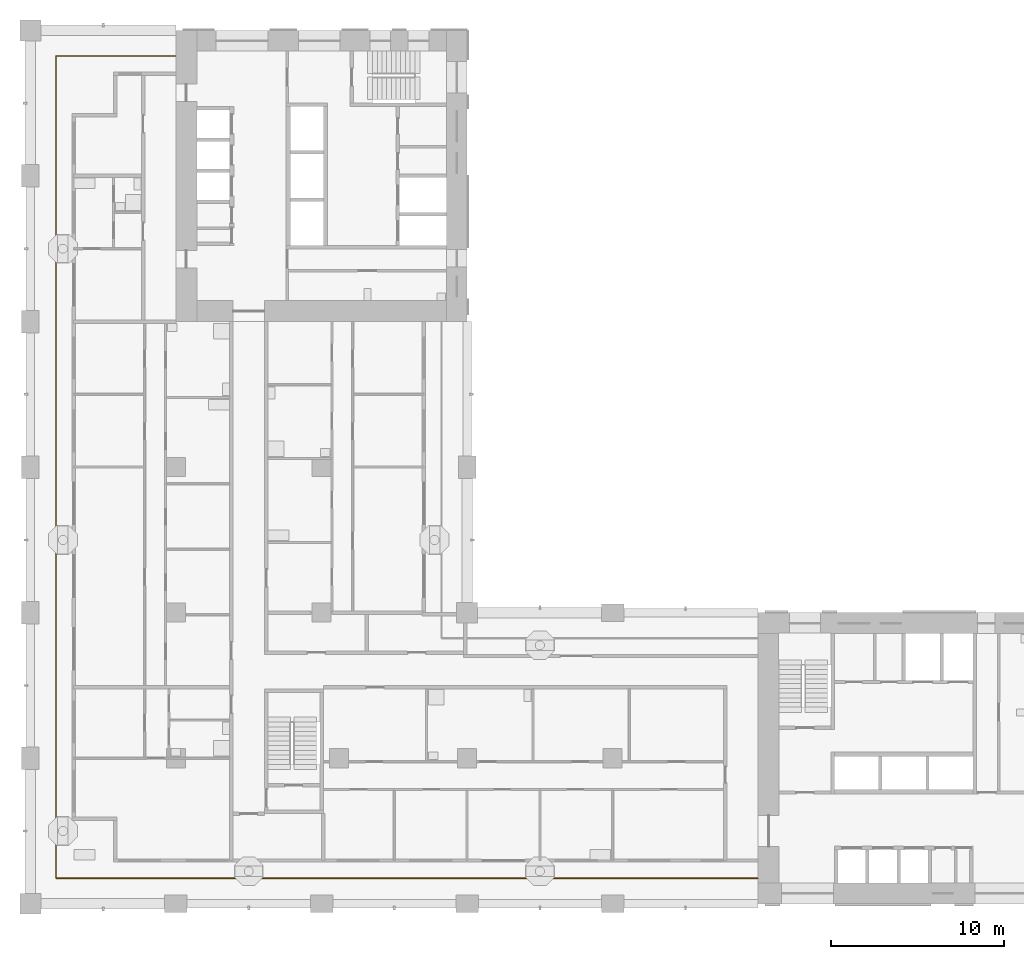
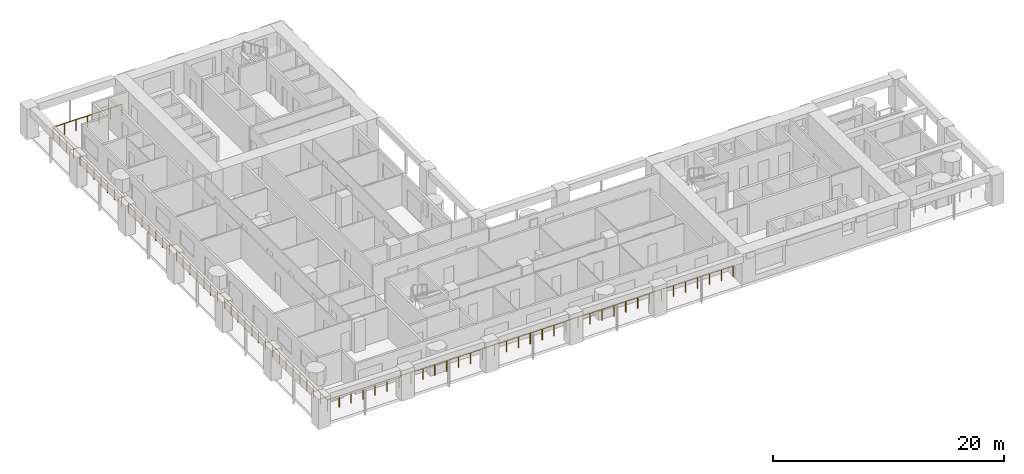
# One storey, part 10 of 18: 1 railing.
"""IFC4 building model written with IfcOpenShell, lengths in metres."""

from ifc_helpers import new_model, si_unit, direction, frame, origin, origin_2d, place, context, subcontext, project, spatial, circle, extrude, material, type_object, element, save


model = new_model("IFC4")

# Units and contexts
model_context = context("Model", 3, precision=1e-05, world=origin(), true_north=direction((0.0, 1.0)))
body_context = subcontext(model_context, "Body", "Model", "MODEL_VIEW")
ifc_project = project(units=[si_unit("LENGTHUNIT", "METRE"), si_unit("AREAUNIT", "SQUARE_METRE"), si_unit("VOLUMEUNIT", "CUBIC_METRE"), si_unit("PLANEANGLEUNIT", "RADIAN"), si_unit("MASSUNIT", "GRAM", prefix="KILO")], contexts=[model_context])

# Site, building, storey
site_placement = place(None, origin())
site = spatial("IfcSite", under=ifc_project, at=site_placement, CompositionType="ELEMENT")
building_placement = place(site_placement, origin())
building = spatial("IfcBuilding", under=site, at=building_placement, Name="Vermilion Gate Residences", CompositionType="ELEMENT")
storey_placement = place(building_placement, frame((0.0, 0.0, 105.699951171875)))
storey = spatial("IfcBuildingStorey", under=building, at=storey_placement, Name="L26", CompositionType="ELEMENT", Elevation=105.699951171875)

# Railing
ifc_material = material(Name="Stainless steel and toughened glass", Category="steel")
railing_type = type_object("IfcRailingType", Name="LOGGIA GUARD STEEL AND GLASS 1200", PredefinedType="GUARDRAIL", material=ifc_material)
railing_placement = place(storey_placement, frame((8.3779296875, 57.324951171875, 0.0)))
element("IfcRailing", 1, at=railing_placement, inside=storey, type_object=railing_type, Name="Loggia guard", PredefinedType="GUARDRAIL", context=body_context, shape_type="SweptSolid", body=[
    extrude(circle(Radius=0.030029296875, at=origin_2d()), frame((0.0, 0.0, 1.169921875), z_axis=(-1.0, 0.0, 0.0), x_axis=(0.0, -1.0, 0.0)), (0.0, 0.0, 1.0), 6.90283203125),
    extrude(circle(Radius=0.030029296875, at=origin_2d()), frame((-6.90283203125, 0.0, 1.169921875), z_axis=(0.0, -1.0, 0.0), x_axis=(1.0, 0.0, 0.0)), (0.0, 0.0, 1.0), 47.449951171875),
    extrude(circle(Radius=0.030029296875, at=origin_2d()), frame((-6.90283203125, -47.449951171875, 1.169921875), z_axis=(1.0, 0.0, 0.0), x_axis=(0.0, 1.0, 0.0)), (0.0, 0.0, 1.0), 40.5029296875),
    extrude(circle(Radius=0.02490234375, at=origin_2d()), origin(), (0.0, 0.0, 1.0), 1.139892578125),
    extrude(circle(Radius=0.02490234375, at=origin_2d()), frame((-1.150390625, 0.0, 0.0)), (0.0, 0.0, 1.0), 1.139892578125),
    extrude(circle(Radius=0.02490234375, at=origin_2d()), frame((-2.301025390625, 0.0, 0.0)), (0.0, 0.0, 1.0), 1.139892578125),
    extrude(circle(Radius=0.02490234375, at=origin_2d()), frame((-3.451416015625, 0.0, 0.0)), (0.0, 0.0, 1.0), 1.139892578125),
    extrude(circle(Radius=0.02490234375, at=origin_2d()), frame((-4.601806640625, 0.0, 0.0)), (0.0, 0.0, 1.0), 1.139892578125),
    extrude(circle(Radius=0.02490234375, at=origin_2d()), frame((-5.75244140625, 0.0, 0.0)), (0.0, 0.0, 1.0), 1.139892578125),
    extrude(circle(Radius=0.02490234375, at=origin_2d()), frame((-6.90283203125, 0.0, 0.0)), (0.0, 0.0, 1.0), 1.139892578125),
    extrude(circle(Radius=0.02490234375, at=origin_2d()), frame((-6.90283203125, -1.186279296875, 0.0)), (0.0, 0.0, 1.0), 1.139892578125),
    extrude(circle(Radius=0.02490234375, at=origin_2d()), frame((-6.90283203125, -2.37255859375, 0.0)), (0.0, 0.0, 1.0), 1.139892578125),
    extrude(circle(Radius=0.02490234375, at=origin_2d()), frame((-6.90283203125, -3.558837890625, 0.0)), (0.0, 0.0, 1.0), 1.139892578125),
    extrude(circle(Radius=0.02490234375, at=origin_2d()), frame((-6.90283203125, -4.7451171875, 0.0)), (0.0, 0.0, 1.0), 1.139892578125),
    extrude(circle(Radius=0.02490234375, at=origin_2d()), frame((-6.90283203125, -5.93115234375, 0.0)), (0.0, 0.0, 1.0), 1.139892578125),
    extrude(circle(Radius=0.02490234375, at=origin_2d()), frame((-6.90283203125, -7.117431640625, 0.0)), (0.0, 0.0, 1.0), 1.139892578125),
    extrude(circle(Radius=0.02490234375, at=origin_2d()), frame((-6.90283203125, -8.3037109375, 0.0)), (0.0, 0.0, 1.0), 1.139892578125),
    extrude(circle(Radius=0.02490234375, at=origin_2d()), frame((-6.90283203125, -9.489990234375, 0.0)), (0.0, 0.0, 1.0), 1.139892578125),
    extrude(circle(Radius=0.02490234375, at=origin_2d()), frame((-6.90283203125, -10.67626953125, 0.0)), (0.0, 0.0, 1.0), 1.139892578125),
    extrude(circle(Radius=0.02490234375, at=origin_2d()), frame((-6.90283203125, -11.862548828125, 0.0)), (0.0, 0.0, 1.0), 1.139892578125),
    extrude(circle(Radius=0.02490234375, at=origin_2d()), frame((-6.90283203125, -13.048828125, 0.0)), (0.0, 0.0, 1.0), 1.139892578125),
    extrude(circle(Radius=0.02490234375, at=origin_2d()), frame((-6.90283203125, -14.23486328125, 0.0)), (0.0, 0.0, 1.0), 1.139892578125),
    extrude(circle(Radius=0.02490234375, at=origin_2d()), frame((-6.90283203125, -15.421142578125, 0.0)), (0.0, 0.0, 1.0), 1.139892578125),
    extrude(circle(Radius=0.02490234375, at=origin_2d()), frame((-6.90283203125, -16.607421875, 0.0)), (0.0, 0.0, 1.0), 1.139892578125),
    extrude(circle(Radius=0.02490234375, at=origin_2d()), frame((-6.90283203125, -17.793701171875, 0.0)), (0.0, 0.0, 1.0), 1.139892578125),
    extrude(circle(Radius=0.02490234375, at=origin_2d()), frame((-6.90283203125, -18.97998046875, 0.0)), (0.0, 0.0, 1.0), 1.139892578125),
    extrude(circle(Radius=0.02490234375, at=origin_2d()), frame((-6.90283203125, -20.166259765625, 0.0)), (0.0, 0.0, 1.0), 1.139892578125),
    extrude(circle(Radius=0.02490234375, at=origin_2d()), frame((-6.90283203125, -21.3525390625, 0.0)), (0.0, 0.0, 1.0), 1.139892578125),
    extrude(circle(Radius=0.02490234375, at=origin_2d()), frame((-6.90283203125, -22.538818359375, 0.0)), (0.0, 0.0, 1.0), 1.139892578125),
    extrude(circle(Radius=0.02490234375, at=origin_2d()), frame((-6.90283203125, -23.72509765625, 0.0)), (0.0, 0.0, 1.0), 1.139892578125),
    extrude(circle(Radius=0.02490234375, at=origin_2d()), frame((-6.90283203125, -24.9111328125, 0.0)), (0.0, 0.0, 1.0), 1.139892578125),
    extrude(circle(Radius=0.02490234375, at=origin_2d()), frame((-6.90283203125, -26.097412109375, 0.0)), (0.0, 0.0, 1.0), 1.139892578125),
    extrude(circle(Radius=0.02490234375, at=origin_2d()), frame((-6.90283203125, -27.28369140625, 0.0)), (0.0, 0.0, 1.0), 1.139892578125),
    extrude(circle(Radius=0.02490234375, at=origin_2d()), frame((-6.90283203125, -28.469970703125, 0.0)), (0.0, 0.0, 1.0), 1.139892578125),
    extrude(circle(Radius=0.02490234375, at=origin_2d()), frame((-6.90283203125, -29.65625, 0.0)), (0.0, 0.0, 1.0), 1.139892578125),
    extrude(circle(Radius=0.02490234375, at=origin_2d()), frame((-6.90283203125, -30.842529296875, 0.0)), (0.0, 0.0, 1.0), 1.139892578125),
    extrude(circle(Radius=0.02490234375, at=origin_2d()), frame((-6.90283203125, -32.02880859375, 0.0)), (0.0, 0.0, 1.0), 1.139892578125),
    extrude(circle(Radius=0.02490234375, at=origin_2d()), frame((-6.90283203125, -33.21484375, 0.0)), (0.0, 0.0, 1.0), 1.139892578125),
    extrude(circle(Radius=0.02490234375, at=origin_2d()), frame((-6.90283203125, -34.401123046875, 0.0)), (0.0, 0.0, 1.0), 1.139892578125),
    extrude(circle(Radius=0.02490234375, at=origin_2d()), frame((-6.90283203125, -35.58740234375, 0.0)), (0.0, 0.0, 1.0), 1.139892578125),
    extrude(circle(Radius=0.02490234375, at=origin_2d()), frame((-6.90283203125, -36.773681640625, 0.0)), (0.0, 0.0, 1.0), 1.139892578125),
    extrude(circle(Radius=0.02490234375, at=origin_2d()), frame((-6.90283203125, -37.9599609375, 0.0)), (0.0, 0.0, 1.0), 1.139892578125),
    extrude(circle(Radius=0.02490234375, at=origin_2d()), frame((-6.90283203125, -39.146240234375, 0.0)), (0.0, 0.0, 1.0), 1.139892578125),
    extrude(circle(Radius=0.02490234375, at=origin_2d()), frame((-6.90283203125, -40.33251953125, 0.0)), (0.0, 0.0, 1.0), 1.139892578125),
    extrude(circle(Radius=0.02490234375, at=origin_2d()), frame((-6.90283203125, -41.518798828125, 0.0)), (0.0, 0.0, 1.0), 1.139892578125),
    extrude(circle(Radius=0.02490234375, at=origin_2d()), frame((-6.90283203125, -42.705078125, 0.0)), (0.0, 0.0, 1.0), 1.139892578125),
    extrude(circle(Radius=0.02490234375, at=origin_2d()), frame((-6.90283203125, -43.89111328125, 0.0)), (0.0, 0.0, 1.0), 1.139892578125),
    extrude(circle(Radius=0.02490234375, at=origin_2d()), frame((-6.90283203125, -45.077392578125, 0.0)), (0.0, 0.0, 1.0), 1.139892578125),
    extrude(circle(Radius=0.02490234375, at=origin_2d()), frame((-6.90283203125, -46.263671875, 0.0)), (0.0, 0.0, 1.0), 1.139892578125),
    extrude(circle(Radius=0.02490234375, at=origin_2d()), frame((-6.90283203125, -47.449951171875, 0.0)), (0.0, 0.0, 1.0), 1.139892578125),
    extrude(circle(Radius=0.02490234375, at=origin_2d()), frame((-5.711669921875, -47.449951171875, 0.0)), (0.0, 0.0, 1.0), 1.139892578125),
    extrude(circle(Radius=0.02490234375, at=origin_2d()), frame((-4.520263671875, -47.449951171875, 0.0)), (0.0, 0.0, 1.0), 1.139892578125),
    extrude(circle(Radius=0.02490234375, at=origin_2d()), frame((-3.3291015625, -47.449951171875, 0.0)), (0.0, 0.0, 1.0), 1.139892578125),
    extrude(circle(Radius=0.02490234375, at=origin_2d()), frame((-2.1376953125, -47.449951171875, 0.0)), (0.0, 0.0, 1.0), 1.139892578125),
    extrude(circle(Radius=0.02490234375, at=origin_2d()), frame((-0.946533203125, -47.449951171875, 0.0)), (0.0, 0.0, 1.0), 1.139892578125),
    extrude(circle(Radius=0.02490234375, at=origin_2d()), frame((0.24462890625, -47.449951171875, 0.0)), (0.0, 0.0, 1.0), 1.139892578125),
    extrude(circle(Radius=0.02490234375, at=origin_2d()), frame((1.43603515625, -47.449951171875, 0.0)), (0.0, 0.0, 1.0), 1.139892578125),
    extrude(circle(Radius=0.02490234375, at=origin_2d()), frame((2.627197265625, -47.449951171875, 0.0)), (0.0, 0.0, 1.0), 1.139892578125),
    extrude(circle(Radius=0.02490234375, at=origin_2d()), frame((3.818603515625, -47.449951171875, 0.0)), (0.0, 0.0, 1.0), 1.139892578125),
    extrude(circle(Radius=0.02490234375, at=origin_2d()), frame((5.009765625, -47.449951171875, 0.0)), (0.0, 0.0, 1.0), 1.139892578125),
    extrude(circle(Radius=0.02490234375, at=origin_2d()), frame((6.201171875, -47.449951171875, 0.0)), (0.0, 0.0, 1.0), 1.139892578125),
    extrude(circle(Radius=0.02490234375, at=origin_2d()), frame((7.392333984375, -47.449951171875, 0.0)), (0.0, 0.0, 1.0), 1.139892578125),
    extrude(circle(Radius=0.02490234375, at=origin_2d()), frame((8.58349609375, -47.449951171875, 0.0)), (0.0, 0.0, 1.0), 1.139892578125),
    extrude(circle(Radius=0.02490234375, at=origin_2d()), frame((9.77490234375, -47.449951171875, 0.0)), (0.0, 0.0, 1.0), 1.139892578125),
    extrude(circle(Radius=0.02490234375, at=origin_2d()), frame((10.966064453125, -47.449951171875, 0.0)), (0.0, 0.0, 1.0), 1.139892578125),
    extrude(circle(Radius=0.02490234375, at=origin_2d()), frame((12.157470703125, -47.449951171875, 0.0)), (0.0, 0.0, 1.0), 1.139892578125),
    extrude(circle(Radius=0.02490234375, at=origin_2d()), frame((13.3486328125, -47.449951171875, 0.0)), (0.0, 0.0, 1.0), 1.139892578125),
    extrude(circle(Radius=0.02490234375, at=origin_2d()), frame((14.539794921875, -47.449951171875, 0.0)), (0.0, 0.0, 1.0), 1.139892578125),
    extrude(circle(Radius=0.02490234375, at=origin_2d()), frame((15.731201171875, -47.449951171875, 0.0)), (0.0, 0.0, 1.0), 1.139892578125),
    extrude(circle(Radius=0.02490234375, at=origin_2d()), frame((16.92236328125, -47.449951171875, 0.0)), (0.0, 0.0, 1.0), 1.139892578125),
    extrude(circle(Radius=0.02490234375, at=origin_2d()), frame((18.11376953125, -47.449951171875, 0.0)), (0.0, 0.0, 1.0), 1.139892578125),
    extrude(circle(Radius=0.02490234375, at=origin_2d()), frame((19.304931640625, -47.449951171875, 0.0)), (0.0, 0.0, 1.0), 1.139892578125),
    extrude(circle(Radius=0.02490234375, at=origin_2d()), frame((20.49609375, -47.449951171875, 0.0)), (0.0, 0.0, 1.0), 1.139892578125),
    extrude(circle(Radius=0.02490234375, at=origin_2d()), frame((21.6875, -47.449951171875, 0.0)), (0.0, 0.0, 1.0), 1.139892578125),
    extrude(circle(Radius=0.02490234375, at=origin_2d()), frame((22.878662109375, -47.449951171875, 0.0)), (0.0, 0.0, 1.0), 1.139892578125),
    extrude(circle(Radius=0.02490234375, at=origin_2d()), frame((24.070068359375, -47.449951171875, 0.0)), (0.0, 0.0, 1.0), 1.139892578125),
    extrude(circle(Radius=0.02490234375, at=origin_2d()), frame((25.26123046875, -47.449951171875, 0.0)), (0.0, 0.0, 1.0), 1.139892578125),
    extrude(circle(Radius=0.02490234375, at=origin_2d()), frame((26.45263671875, -47.449951171875, 0.0)), (0.0, 0.0, 1.0), 1.139892578125),
    extrude(circle(Radius=0.02490234375, at=origin_2d()), frame((27.643798828125, -47.449951171875, 0.0)), (0.0, 0.0, 1.0), 1.139892578125),
    extrude(circle(Radius=0.02490234375, at=origin_2d()), frame((28.8349609375, -47.449951171875, 0.0)), (0.0, 0.0, 1.0), 1.139892578125),
    extrude(circle(Radius=0.02490234375, at=origin_2d()), frame((30.0263671875, -47.449951171875, 0.0)), (0.0, 0.0, 1.0), 1.139892578125),
    extrude(circle(Radius=0.02490234375, at=origin_2d()), frame((31.217529296875, -47.449951171875, 0.0)), (0.0, 0.0, 1.0), 1.139892578125),
    extrude(circle(Radius=0.02490234375, at=origin_2d()), frame((32.408935546875, -47.449951171875, 0.0)), (0.0, 0.0, 1.0), 1.139892578125),
    extrude(circle(Radius=0.02490234375, at=origin_2d()), frame((33.60009765625, -47.449951171875, 0.0)), (0.0, 0.0, 1.0), 1.139892578125),
])

save(model, "model.ifc")
